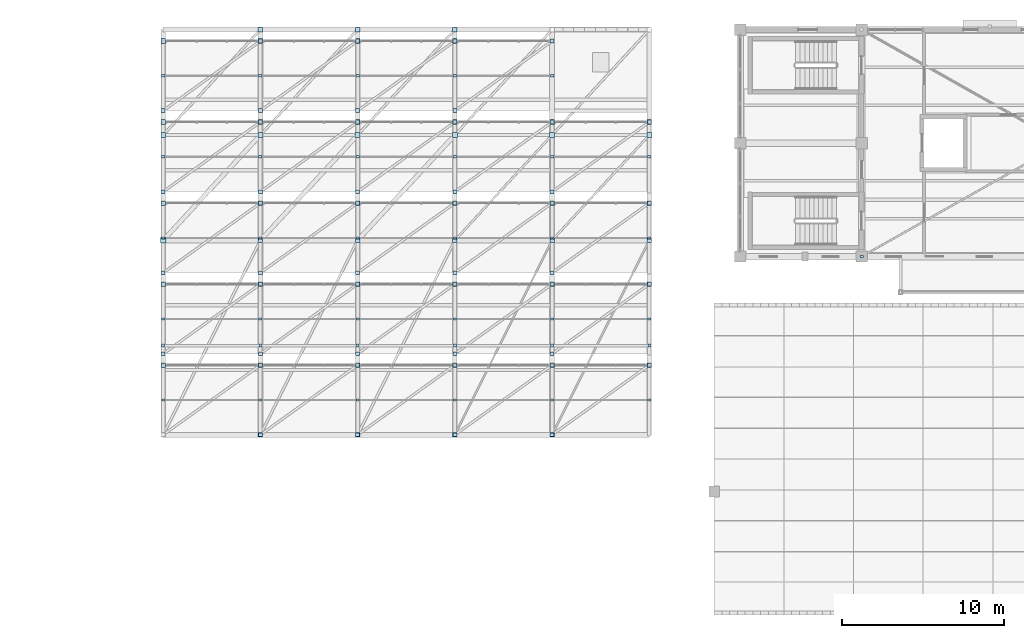
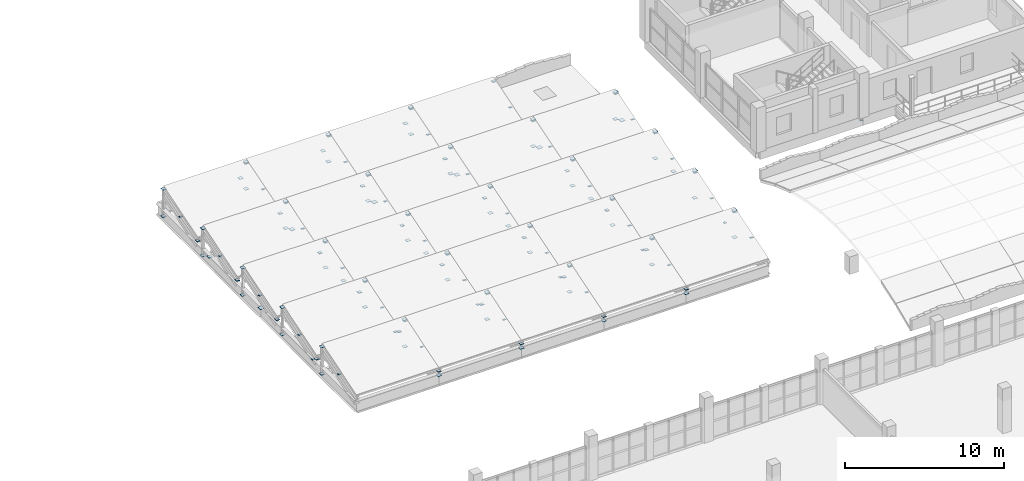
# One storey, part 32 of 48: 158 plates.
"""IFC4 building model written with IfcOpenShell, lengths in metres."""

from ifc_helpers import new_model, si_unit, direction, frame, origin, origin_2d, place, context, subcontext, project, spatial, rectangle, extrude, material, layer, layer_set, type_object, element, save


model = new_model("IFC4")

# Units and contexts
model_context = context("Model", 3, precision=1e-05, world=origin(), true_north=direction((0.0, 1.0)))
body_context = subcontext(model_context, "Body", "Model", "MODEL_VIEW")
ifc_project = project(units=[si_unit("LENGTHUNIT", "METRE"), si_unit("AREAUNIT", "SQUARE_METRE"), si_unit("VOLUMEUNIT", "CUBIC_METRE"), si_unit("PLANEANGLEUNIT", "RADIAN"), si_unit("MASSUNIT", "GRAM", prefix="KILO")], contexts=[model_context])

# Site, building, storey
site_placement = place(None, origin())
site = spatial("IfcSite", under=ifc_project, at=site_placement, CompositionType="ELEMENT")
building_placement = place(site_placement, origin())
building = spatial("IfcBuilding", under=site, at=building_placement, Name="Trellovar Central Fire Station", CompositionType="ELEMENT")
storey_placement = place(building_placement, frame((0.0, 0.0, 9.300048828125)))
storey = spatial("IfcBuildingStorey", under=building, at=storey_placement, Name="L03", CompositionType="ELEMENT", Elevation=9.300048828125)

# Plates
ifc_material_1 = material(Name="Steel ASTM A36", Category="steel")
ifc_layer_1 = layer(ifc_material_1, 0.02392578125)
ifc_layer_set_1 = layer_set([ifc_layer_1], Name="Steel ASTM A36")
plate_type_1 = type_object("IfcPlateType", Name="PLT-EP1", PredefinedType="SHEET", material=ifc_layer_set_1)
for number, where, z_axis, x_axis, name in (
    (1, (105.5, 60.0, -0.362060546875), (0.0, 0.0, 1.0), (1.0, 0.0, 0.0), "HSS end-cap plate 340"),
    (2, (111.5, 66.5, -0.362060546875), (0.0, 0.0, 1.0), (1.0, 0.0, 0.0), "HSS end-cap plate 341"),
    (3, (117.5, 66.5, -0.362060546875), (0.0, 0.0, 1.0), (1.0, 0.0, 0.0), "HSS end-cap plate 348"),
    (4, (123.5, 66.5, -0.362060546875), (0.0, 0.0, 1.0), (1.0, 0.0, 0.0), "HSS end-cap plate 353"),
    (5, (129.5, 66.5, -0.362060546875), (0.0, 0.0, 1.0), (1.0, 0.0, 0.0), "HSS end-cap plate 358"),
    (6, (135.5, 66.5, -0.362060546875), (0.0, 0.0, 1.0), (1.0, 0.0, 0.0), "HSS end-cap plate 363"),
):
    element("IfcPlate", number, at=place(storey_placement, frame(where, z_axis=z_axis, x_axis=x_axis)), inside=storey, type_object=plate_type_1, Name=name, PredefinedType="SHEET", context=body_context, shape_type="SweptSolid", body=[
        extrude(rectangle(XDim=0.320068359375, YDim=0.320068359375, at=origin_2d()), origin(), (0.0, 0.0, 1.0), 0.02392578125),
    ])
ifc_material_2 = material(Name="Steel ASTM A36", Category="steel")
ifc_layer_2 = layer(ifc_material_2, 0.02001953125)
ifc_layer_set_2 = layer_set([ifc_layer_2], Name="Steel ASTM A36")
plate_type_2 = type_object("IfcPlateType", Name="PLT-EP2", PredefinedType="SHEET", material=ifc_layer_set_2)
for number, where, z_axis, x_axis, name in (
    (7, (105.5, 66.5, -0.360107421875), (0.0, 0.0, 1.0), (1.0, 0.0, 0.0), "HSS end-cap plate 342"),
    (8, (111.5, 73.0, -0.360107421875), (0.0, 0.0, 1.0), (1.0, 0.0, 0.0), "HSS end-cap plate 343"),
    (9, (111.5, 60.0, -0.360107421875), (0.0, 0.0, 1.0), (1.0, 0.0, 0.0), "HSS end-cap plate 345"),
    (10, (117.5, 73.0, -0.360107421875), (0.0, 0.0, 1.0), (1.0, 0.0, 0.0), "HSS end-cap plate 349"),
    (11, (111.5, 48.0, -0.360107421875), (0.0, 0.0, 1.0), (1.0, 0.0, 0.0), "HSS end-cap plate 350"),
    (12, (117.5, 60.0, -0.360107421875), (0.0, 0.0, 1.0), (1.0, 0.0, 0.0), "HSS end-cap plate 351"),
    (13, (123.5, 73.0, -0.360107421875), (0.0, 0.0, 1.0), (1.0, 0.0, 0.0), "HSS end-cap plate 354"),
    (14, (117.5, 48.0, -0.360107421875), (0.0, 0.0, 1.0), (1.0, 0.0, 0.0), "HSS end-cap plate 355"),
    (15, (123.5, 60.0, -0.360107421875), (0.0, 0.0, 1.0), (1.0, 0.0, 0.0), "HSS end-cap plate 356"),
    (16, (123.5, 48.0, -0.360107421875), (0.0, 0.0, 1.0), (1.0, 0.0, 0.0), "HSS end-cap plate 360"),
    (17, (129.5, 60.0, -0.360107421875), (0.0, 0.0, 1.0), (1.0, 0.0, 0.0), "HSS end-cap plate 361"),
    (18, (129.5, 48.0, -0.360107421875), (0.0, 0.0, 1.0), (1.0, 0.0, 0.0), "HSS end-cap plate 365"),
    (19, (135.5, 60.0, -0.360107421875), (0.0, 0.0, 1.0), (1.0, 0.0, 0.0), "HSS end-cap plate 366"),
    (20, (105.5, 52.300048828125, -0.760009765625), (0.0, 0.0, 1.0), (1.0, 0.0, 0.0), "HSS end-cap plate 368"),
    (21, (105.5, 52.300048828125, 1.33984375), (0.0, 0.0, 1.0), (1.0, 0.0, 0.0), "HSS end-cap plate 369"),
    (22, (111.5, 52.300048828125, -0.760009765625), (0.0, 0.0, 1.0), (1.0, 0.0, 0.0), "HSS end-cap plate 370"),
    (23, (111.5, 52.300048828125, 1.33984375), (0.0, 0.0, 1.0), (1.0, 0.0, 0.0), "HSS end-cap plate 371"),
    (24, (117.5, 52.300048828125, -0.760009765625), (0.0, 0.0, 1.0), (1.0, 0.0, 0.0), "HSS end-cap plate 372"),
    (25, (117.5, 52.300048828125, 1.33984375), (0.0, 0.0, 1.0), (1.0, 0.0, 0.0), "HSS end-cap plate 373"),
    (26, (123.5, 52.300048828125, -0.760009765625), (0.0, 0.0, 1.0), (1.0, 0.0, 0.0), "HSS end-cap plate 374"),
    (27, (123.5, 52.300048828125, 1.33984375), (0.0, 0.0, 1.0), (1.0, 0.0, 0.0), "HSS end-cap plate 375"),
    (28, (129.5, 52.300048828125, -0.760009765625), (0.0, 0.0, 1.0), (1.0, 0.0, 0.0), "HSS end-cap plate 376"),
    (29, (129.5, 52.300048828125, 1.33984375), (0.0, 0.0, 1.0), (1.0, 0.0, 0.0), "HSS end-cap plate 377"),
    (30, (135.5, 52.300048828125, -0.760009765625), (0.0, 0.0, 1.0), (1.0, 0.0, 0.0), "HSS end-cap plate 378"),
    (31, (135.5, 52.300048828125, 1.33984375), (0.0, 0.0, 1.0), (1.0, 0.0, 0.0), "HSS end-cap plate 379"),
    (32, (105.5, 57.300048828125, -0.760009765625), (0.0, 0.0, 1.0), (1.0, 0.0, 0.0), "HSS end-cap plate 396"),
    (33, (105.5, 57.300048828125, 1.33984375), (0.0, 0.0, 1.0), (1.0, 0.0, 0.0), "HSS end-cap plate 397"),
    (34, (111.5, 57.300048828125, -0.760009765625), (0.0, 0.0, 1.0), (1.0, 0.0, 0.0), "HSS end-cap plate 398"),
    (35, (111.5, 57.300048828125, 1.33984375), (0.0, 0.0, 1.0), (1.0, 0.0, 0.0), "HSS end-cap plate 399"),
    (36, (117.5, 57.300048828125, -0.760009765625), (0.0, 0.0, 1.0), (1.0, 0.0, 0.0), "HSS end-cap plate 400"),
    (37, (117.5, 57.300048828125, 1.33984375), (0.0, 0.0, 1.0), (1.0, 0.0, 0.0), "HSS end-cap plate 401"),
    (38, (123.5, 57.300048828125, -0.760009765625), (0.0, 0.0, 1.0), (1.0, 0.0, 0.0), "HSS end-cap plate 402"),
    (39, (123.5, 57.300048828125, 1.33984375), (0.0, 0.0, 1.0), (1.0, 0.0, 0.0), "HSS end-cap plate 403"),
    (40, (129.5, 57.300048828125, -0.760009765625), (0.0, 0.0, 1.0), (1.0, 0.0, 0.0), "HSS end-cap plate 404"),
    (41, (129.5, 57.300048828125, 1.33984375), (0.0, 0.0, 1.0), (1.0, 0.0, 0.0), "HSS end-cap plate 405"),
    (42, (135.5, 57.300048828125, -0.760009765625), (0.0, 0.0, 1.0), (1.0, 0.0, 0.0), "HSS end-cap plate 406"),
    (43, (135.5, 57.300048828125, 1.33984375), (0.0, 0.0, 1.0), (1.0, 0.0, 0.0), "HSS end-cap plate 407"),
    (44, (105.5, 62.300048828125, -0.760009765625), (0.0, 0.0, 1.0), (1.0, 0.0, 0.0), "HSS end-cap plate 424"),
    (45, (105.5, 62.300048828125, 1.33984375), (0.0, 0.0, 1.0), (1.0, 0.0, 0.0), "HSS end-cap plate 425"),
    (46, (111.5, 62.300048828125, -0.760009765625), (0.0, 0.0, 1.0), (1.0, 0.0, 0.0), "HSS end-cap plate 426"),
    (47, (111.5, 62.300048828125, 1.33984375), (0.0, 0.0, 1.0), (1.0, 0.0, 0.0), "HSS end-cap plate 427"),
    (48, (117.5, 62.300048828125, -0.760009765625), (0.0, 0.0, 1.0), (1.0, 0.0, 0.0), "HSS end-cap plate 428"),
    (49, (117.5, 62.300048828125, 1.33984375), (0.0, 0.0, 1.0), (1.0, 0.0, 0.0), "HSS end-cap plate 429"),
    (50, (123.5, 62.300048828125, -0.760009765625), (0.0, 0.0, 1.0), (1.0, 0.0, 0.0), "HSS end-cap plate 430"),
    (51, (123.5, 62.300048828125, 1.33984375), (0.0, 0.0, 1.0), (1.0, 0.0, 0.0), "HSS end-cap plate 431"),
    (52, (129.5, 62.300048828125, -0.760009765625), (0.0, 0.0, 1.0), (1.0, 0.0, 0.0), "HSS end-cap plate 432"),
    (53, (129.5, 62.300048828125, 1.33984375), (0.0, 0.0, 1.0), (1.0, 0.0, 0.0), "HSS end-cap plate 433"),
    (54, (135.5, 62.300048828125, -0.760009765625), (0.0, 0.0, 1.0), (1.0, 0.0, 0.0), "HSS end-cap plate 434"),
    (55, (135.5, 62.300048828125, 1.33984375), (0.0, 0.0, 1.0), (1.0, 0.0, 0.0), "HSS end-cap plate 435"),
    (56, (105.5, 67.300048828125, -0.760009765625), (0.0, 0.0, 1.0), (1.0, 0.0, 0.0), "HSS end-cap plate 452"),
    (57, (105.5, 67.300048828125, 1.33984375), (0.0, 0.0, 1.0), (1.0, 0.0, 0.0), "HSS end-cap plate 453"),
    (58, (111.5, 67.300048828125, -0.760009765625), (0.0, 0.0, 1.0), (1.0, 0.0, 0.0), "HSS end-cap plate 454"),
    (59, (111.5, 67.300048828125, 1.33984375), (0.0, 0.0, 1.0), (1.0, 0.0, 0.0), "HSS end-cap plate 455"),
    (60, (117.5, 67.300048828125, -0.760009765625), (0.0, 0.0, 1.0), (1.0, 0.0, 0.0), "HSS end-cap plate 456"),
    (61, (117.5, 67.300048828125, 1.33984375), (0.0, 0.0, 1.0), (1.0, 0.0, 0.0), "HSS end-cap plate 457"),
    (62, (123.5, 67.300048828125, -0.760009765625), (0.0, 0.0, 1.0), (1.0, 0.0, 0.0), "HSS end-cap plate 458"),
    (63, (123.5, 67.300048828125, 1.33984375), (0.0, 0.0, 1.0), (1.0, 0.0, 0.0), "HSS end-cap plate 459"),
    (64, (129.5, 67.300048828125, -0.760009765625), (0.0, 0.0, 1.0), (1.0, 0.0, 0.0), "HSS end-cap plate 460"),
    (65, (129.5, 67.300048828125, 1.33984375), (0.0, 0.0, 1.0), (1.0, 0.0, 0.0), "HSS end-cap plate 461"),
    (66, (135.5, 67.300048828125, -0.760009765625), (0.0, 0.0, 1.0), (1.0, 0.0, 0.0), "HSS end-cap plate 462"),
    (67, (135.5, 67.300048828125, 1.33984375), (0.0, 0.0, 1.0), (1.0, 0.0, 0.0), "HSS end-cap plate 463"),
    (68, (105.5, 72.300048828125, -0.760009765625), (0.0, 0.0, 1.0), (1.0, 0.0, 0.0), "HSS end-cap plate 480"),
    (69, (105.5, 72.300048828125, 1.33984375), (0.0, 0.0, 1.0), (1.0, 0.0, 0.0), "HSS end-cap plate 481"),
    (70, (111.5, 72.300048828125, -0.760009765625), (0.0, 0.0, 1.0), (1.0, 0.0, 0.0), "HSS end-cap plate 482"),
    (71, (111.5, 72.300048828125, 1.33984375), (0.0, 0.0, 1.0), (1.0, 0.0, 0.0), "HSS end-cap plate 483"),
    (72, (117.5, 72.300048828125, -0.760009765625), (0.0, 0.0, 1.0), (1.0, 0.0, 0.0), "HSS end-cap plate 484"),
    (73, (117.5, 72.300048828125, 1.33984375), (0.0, 0.0, 1.0), (1.0, 0.0, 0.0), "HSS end-cap plate 485"),
    (74, (123.5, 72.300048828125, -0.760009765625), (0.0, 0.0, 1.0), (1.0, 0.0, 0.0), "HSS end-cap plate 486"),
    (75, (123.5, 72.300048828125, 1.33984375), (0.0, 0.0, 1.0), (1.0, 0.0, 0.0), "HSS end-cap plate 487"),
):
    element("IfcPlate", number, at=place(storey_placement, frame(where, z_axis=z_axis, x_axis=x_axis)), inside=storey, type_object=plate_type_2, Name=name, PredefinedType="SHEET", context=body_context, shape_type="SweptSolid", body=[
        extrude(rectangle(XDim=0.280029296875, YDim=0.280029296875, at=origin_2d()), origin(), (0.0, 0.0, 1.0), 0.02001953125),
    ])
ifc_material_3 = material(Name="Steel ASTM A36", Category="steel")
ifc_layer_3 = layer(ifc_material_3, 0.01806640625)
ifc_layer_set_3 = layer_set([ifc_layer_3], Name="Steel ASTM A36")
plate_type_3 = type_object("IfcPlateType", Name="PLT-EP3", PredefinedType="SHEET", material=ifc_layer_set_3)
for number, where, z_axis, x_axis, name in (
    (76, (111.5, 52.300048828125, 1.220947265625), (0.0, 0.0, 1.0), (1.0, 0.0, 0.0), "HSS end-cap plate 383"),
    (77, (111.5, 48.0, -0.029052734375), (0.0, 0.0, 1.0), (1.0, 0.0, 0.0), "HSS end-cap plate 385"),
    (78, (117.5, 52.300048828125, 1.220947265625), (0.0, 0.0, 1.0), (1.0, 0.0, 0.0), "HSS end-cap plate 386"),
    (79, (117.5, 48.0, -0.029052734375), (0.0, 0.0, 1.0), (1.0, 0.0, 0.0), "HSS end-cap plate 388"),
    (80, (123.5, 52.300048828125, 1.220947265625), (0.0, 0.0, 1.0), (1.0, 0.0, 0.0), "HSS end-cap plate 389"),
    (81, (123.5, 48.0, -0.029052734375), (0.0, 0.0, 1.0), (1.0, 0.0, 0.0), "HSS end-cap plate 391"),
    (82, (129.5, 52.300048828125, 1.220947265625), (0.0, 0.0, 1.0), (1.0, 0.0, 0.0), "HSS end-cap plate 392"),
    (83, (129.5, 48.0, -0.029052734375), (0.0, 0.0, 1.0), (1.0, 0.0, 0.0), "HSS end-cap plate 394"),
    (84, (135.5, 52.300048828125, 1.220947265625), (0.0, 0.0, 1.0), (1.0, 0.0, 0.0), "HSS end-cap plate 395"),
    (85, (105.5, 53.0, -0.029052734375), (0.0, 0.0, 1.0), (1.0, 0.0, 0.0), "HSS end-cap plate 410"),
    (86, (111.5, 57.300048828125, 1.220947265625), (0.0, 0.0, 1.0), (1.0, 0.0, 0.0), "HSS end-cap plate 411"),
    (87, (111.5, 53.0, -0.029052734375), (0.0, 0.0, 1.0), (1.0, 0.0, 0.0), "HSS end-cap plate 413"),
    (88, (117.5, 57.300048828125, 1.220947265625), (0.0, 0.0, 1.0), (1.0, 0.0, 0.0), "HSS end-cap plate 414"),
    (89, (117.5, 53.0, -0.029052734375), (0.0, 0.0, 1.0), (1.0, 0.0, 0.0), "HSS end-cap plate 416"),
    (90, (123.5, 57.300048828125, 1.220947265625), (0.0, 0.0, 1.0), (1.0, 0.0, 0.0), "HSS end-cap plate 417"),
    (91, (123.5, 53.0, -0.029052734375), (0.0, 0.0, 1.0), (1.0, 0.0, 0.0), "HSS end-cap plate 419"),
    (92, (129.5, 57.300048828125, 1.220947265625), (0.0, 0.0, 1.0), (1.0, 0.0, 0.0), "HSS end-cap plate 420"),
    (93, (129.5, 53.0, -0.029052734375), (0.0, 0.0, 1.0), (1.0, 0.0, 0.0), "HSS end-cap plate 422"),
    (94, (135.5, 57.300048828125, 1.220947265625), (0.0, 0.0, 1.0), (1.0, 0.0, 0.0), "HSS end-cap plate 423"),
    (95, (105.5, 58.0, -0.029052734375), (0.0, 0.0, 1.0), (1.0, 0.0, 0.0), "HSS end-cap plate 438"),
    (96, (111.5, 62.300048828125, 1.220947265625), (0.0, 0.0, 1.0), (1.0, 0.0, 0.0), "HSS end-cap plate 439"),
    (97, (111.5, 58.0, -0.029052734375), (0.0, 0.0, 1.0), (1.0, 0.0, 0.0), "HSS end-cap plate 441"),
    (98, (117.5, 62.300048828125, 1.220947265625), (0.0, 0.0, 1.0), (1.0, 0.0, 0.0), "HSS end-cap plate 442"),
    (99, (117.5, 58.0, -0.029052734375), (0.0, 0.0, 1.0), (1.0, 0.0, 0.0), "HSS end-cap plate 444"),
    (100, (123.5, 62.300048828125, 1.220947265625), (0.0, 0.0, 1.0), (1.0, 0.0, 0.0), "HSS end-cap plate 445"),
    (101, (123.5, 58.0, -0.029052734375), (0.0, 0.0, 1.0), (1.0, 0.0, 0.0), "HSS end-cap plate 447"),
    (102, (129.5, 62.300048828125, 1.220947265625), (0.0, 0.0, 1.0), (1.0, 0.0, 0.0), "HSS end-cap plate 448"),
    (103, (129.5, 58.0, -0.029052734375), (0.0, 0.0, 1.0), (1.0, 0.0, 0.0), "HSS end-cap plate 450"),
    (104, (135.5, 62.300048828125, 1.220947265625), (0.0, 0.0, 1.0), (1.0, 0.0, 0.0), "HSS end-cap plate 451"),
    (105, (105.5, 63.0, -0.029052734375), (0.0, 0.0, 1.0), (1.0, 0.0, 0.0), "HSS end-cap plate 466"),
    (106, (111.5, 67.300048828125, 1.220947265625), (0.0, 0.0, 1.0), (1.0, 0.0, 0.0), "HSS end-cap plate 467"),
    (107, (111.5, 63.0, -0.029052734375), (0.0, 0.0, 1.0), (1.0, 0.0, 0.0), "HSS end-cap plate 469"),
    (108, (117.5, 67.300048828125, 1.220947265625), (0.0, 0.0, 1.0), (1.0, 0.0, 0.0), "HSS end-cap plate 470"),
    (109, (117.5, 63.0, -0.029052734375), (0.0, 0.0, 1.0), (1.0, 0.0, 0.0), "HSS end-cap plate 472"),
    (110, (123.5, 67.300048828125, 1.220947265625), (0.0, 0.0, 1.0), (1.0, 0.0, 0.0), "HSS end-cap plate 473"),
    (111, (123.5, 63.0, -0.029052734375), (0.0, 0.0, 1.0), (1.0, 0.0, 0.0), "HSS end-cap plate 475"),
    (112, (129.5, 67.300048828125, 1.220947265625), (0.0, 0.0, 1.0), (1.0, 0.0, 0.0), "HSS end-cap plate 476"),
    (113, (129.5, 63.0, -0.029052734375), (0.0, 0.0, 1.0), (1.0, 0.0, 0.0), "HSS end-cap plate 478"),
    (114, (135.5, 67.300048828125, 1.220947265625), (0.0, 0.0, 1.0), (1.0, 0.0, 0.0), "HSS end-cap plate 479"),
    (115, (105.5, 68.0, -0.029052734375), (0.0, 0.0, 1.0), (1.0, 0.0, 0.0), "HSS end-cap plate 490"),
    (116, (111.5, 72.300048828125, 1.220947265625), (0.0, 0.0, 1.0), (1.0, 0.0, 0.0), "HSS end-cap plate 491"),
    (117, (111.5, 68.0, -0.029052734375), (0.0, 0.0, 1.0), (1.0, 0.0, 0.0), "HSS end-cap plate 493"),
    (118, (117.5, 72.300048828125, 1.220947265625), (0.0, 0.0, 1.0), (1.0, 0.0, 0.0), "HSS end-cap plate 494"),
    (119, (117.5, 68.0, -0.029052734375), (0.0, 0.0, 1.0), (1.0, 0.0, 0.0), "HSS end-cap plate 496"),
    (120, (123.5, 72.300048828125, 1.220947265625), (0.0, 0.0, 1.0), (1.0, 0.0, 0.0), "HSS end-cap plate 497"),
    (121, (123.5, 68.0, -0.029052734375), (0.0, 0.0, 1.0), (1.0, 0.0, 0.0), "HSS end-cap plate 499"),
    (122, (129.5, 72.300048828125, 1.220947265625), (0.0, 0.0, 1.0), (1.0, 0.0, 0.0), "HSS end-cap plate 500"),
):
    element("IfcPlate", number, at=place(storey_placement, frame(where, z_axis=z_axis, x_axis=x_axis)), inside=storey, type_object=plate_type_3, Name=name, PredefinedType="SHEET", context=body_context, shape_type="SweptSolid", body=[
        extrude(rectangle(XDim=0.239990234375, YDim=0.239990234375, at=origin_2d()), origin(), (0.0, 0.0, 1.0), 0.01806640625),
    ])
ifc_material_4 = material(Name="Steel ASTM A36", Category="steel")
ifc_layer_4 = layer(ifc_material_4, 0.01611328125)
ifc_layer_set_4 = layer_set([ifc_layer_4], Name="Steel ASTM A36")
plate_type_4 = type_object("IfcPlateType", Name="PLT-EP4", PredefinedType="SHEET", material=ifc_layer_set_4)
for number, where, z_axis, x_axis, name in (
    (123, (105.5, 50.14990234375, 0.52197265625), (0.0, 0.0, 1.0), (1.0, 0.0, 0.0), "HSS end-cap plate 380"),
    (124, (111.5, 50.14990234375, 0.52197265625), (0.0, 0.0, 1.0), (1.0, 0.0, 0.0), "HSS end-cap plate 381"),
    (125, (117.5, 50.14990234375, 0.52197265625), (0.0, 0.0, 1.0), (1.0, 0.0, 0.0), "HSS end-cap plate 384"),
    (126, (123.5, 50.14990234375, 0.52197265625), (0.0, 0.0, 1.0), (1.0, 0.0, 0.0), "HSS end-cap plate 387"),
    (127, (129.5, 50.14990234375, 0.52197265625), (0.0, 0.0, 1.0), (1.0, 0.0, 0.0), "HSS end-cap plate 390"),
    (128, (135.5, 50.14990234375, 0.52197265625), (0.0, 0.0, 1.0), (1.0, 0.0, 0.0), "HSS end-cap plate 393"),
    (129, (105.5, 55.14990234375, 0.52197265625), (0.0, 0.0, 1.0), (1.0, 0.0, 0.0), "HSS end-cap plate 408"),
    (130, (111.5, 55.14990234375, 0.52197265625), (0.0, 0.0, 1.0), (1.0, 0.0, 0.0), "HSS end-cap plate 409"),
    (131, (117.5, 55.14990234375, 0.52197265625), (0.0, 0.0, 1.0), (1.0, 0.0, 0.0), "HSS end-cap plate 412"),
    (132, (123.5, 55.14990234375, 0.52197265625), (0.0, 0.0, 1.0), (1.0, 0.0, 0.0), "HSS end-cap plate 415"),
    (133, (129.5, 55.14990234375, 0.52197265625), (0.0, 0.0, 1.0), (1.0, 0.0, 0.0), "HSS end-cap plate 418"),
    (134, (135.5, 55.14990234375, 0.52197265625), (0.0, 0.0, 1.0), (1.0, 0.0, 0.0), "HSS end-cap plate 421"),
    (135, (105.5, 60.14990234375, 0.52197265625), (0.0, 0.0, 1.0), (1.0, 0.0, 0.0), "HSS end-cap plate 436"),
    (136, (111.5, 60.14990234375, 0.52197265625), (0.0, 0.0, 1.0), (1.0, 0.0, 0.0), "HSS end-cap plate 437"),
    (137, (117.5, 60.14990234375, 0.52197265625), (0.0, 0.0, 1.0), (1.0, 0.0, 0.0), "HSS end-cap plate 440"),
    (138, (123.5, 60.14990234375, 0.52197265625), (0.0, 0.0, 1.0), (1.0, 0.0, 0.0), "HSS end-cap plate 443"),
    (139, (129.5, 60.14990234375, 0.52197265625), (0.0, 0.0, 1.0), (1.0, 0.0, 0.0), "HSS end-cap plate 446"),
    (140, (135.5, 60.14990234375, 0.52197265625), (0.0, 0.0, 1.0), (1.0, 0.0, 0.0), "HSS end-cap plate 449"),
    (141, (105.5, 65.14990234375, 0.52197265625), (0.0, 0.0, 1.0), (1.0, 0.0, 0.0), "HSS end-cap plate 464"),
    (142, (111.5, 65.14990234375, 0.52197265625), (0.0, 0.0, 1.0), (1.0, 0.0, 0.0), "HSS end-cap plate 465"),
    (143, (117.5, 65.14990234375, 0.52197265625), (0.0, 0.0, 1.0), (1.0, 0.0, 0.0), "HSS end-cap plate 468"),
    (144, (123.5, 65.14990234375, 0.52197265625), (0.0, 0.0, 1.0), (1.0, 0.0, 0.0), "HSS end-cap plate 471"),
    (145, (129.5, 65.14990234375, 0.52197265625), (0.0, 0.0, 1.0), (1.0, 0.0, 0.0), "HSS end-cap plate 474"),
    (146, (135.5, 65.14990234375, 0.52197265625), (0.0, 0.0, 1.0), (1.0, 0.0, 0.0), "HSS end-cap plate 477"),
    (147, (105.5, 70.14990234375, 0.52197265625), (0.0, 0.0, 1.0), (1.0, 0.0, 0.0), "HSS end-cap plate 488"),
    (148, (111.5, 70.14990234375, 0.52197265625), (0.0, 0.0, 1.0), (1.0, 0.0, 0.0), "HSS end-cap plate 489"),
    (149, (117.5, 70.14990234375, 0.52197265625), (0.0, 0.0, 1.0), (1.0, 0.0, 0.0), "HSS end-cap plate 492"),
    (150, (123.5, 70.14990234375, 0.52197265625), (0.0, 0.0, 1.0), (1.0, 0.0, 0.0), "HSS end-cap plate 495"),
    (151, (129.5, 70.14990234375, 0.52197265625), (0.0, 0.0, 1.0), (1.0, 0.0, 0.0), "HSS end-cap plate 498"),
    (152, (148.60009765625, 59.0, -0.398193359375), (0.0, 0.0, 1.0), (1.0, 0.0, 0.0), "HSS end-cap plate 531"),
):
    element("IfcPlate", number, at=place(storey_placement, frame(where, z_axis=z_axis, x_axis=x_axis)), inside=storey, type_object=plate_type_4, Name=name, PredefinedType="SHEET", context=body_context, shape_type="SweptSolid", body=[
        extrude(rectangle(XDim=0.219970703125, YDim=0.139892578125, at=origin_2d()), origin(), (0.0, 0.0, 1.0), 0.01611328125),
    ])
ifc_material_5 = material(Name="Steel ASTM A36", Category="steel")
ifc_layer_5 = layer(ifc_material_5, 0.01611328125)
ifc_layer_set_5 = layer_set([ifc_layer_5], Name="Steel ASTM A36")
plate_type_5 = type_object("IfcPlateType", Name="PLT-EP5", PredefinedType="SHEET", material=ifc_layer_set_5)
for number, where, z_axis, x_axis, name in (
    (153, (105.5, 53.5, -0.358154296875), (0.0, 0.0, 1.0), (1.0, 0.0, 0.0), "HSS end-cap plate 346"),
    (154, (111.5, 53.5, -0.358154296875), (0.0, 0.0, 1.0), (1.0, 0.0, 0.0), "HSS end-cap plate 347"),
    (155, (117.5, 53.5, -0.358154296875), (0.0, 0.0, 1.0), (1.0, 0.0, 0.0), "HSS end-cap plate 352"),
    (156, (123.5, 53.5, -0.358154296875), (0.0, 0.0, 1.0), (1.0, 0.0, 0.0), "HSS end-cap plate 357"),
    (157, (129.5, 53.5, -0.358154296875), (0.0, 0.0, 1.0), (1.0, 0.0, 0.0), "HSS end-cap plate 362"),
    (158, (135.5, 53.5, -0.358154296875), (0.0, 0.0, 1.0), (1.0, 0.0, 0.0), "HSS end-cap plate 367"),
):
    element("IfcPlate", number, at=place(storey_placement, frame(where, z_axis=z_axis, x_axis=x_axis)), inside=storey, type_object=plate_type_5, Name=name, PredefinedType="SHEET", context=body_context, shape_type="SweptSolid", body=[
        extrude(rectangle(XDim=0.179931640625, YDim=0.179931640625, at=origin_2d()), origin(), (0.0, 0.0, 1.0), 0.01611328125),
    ])

save(model, "model.ifc")
